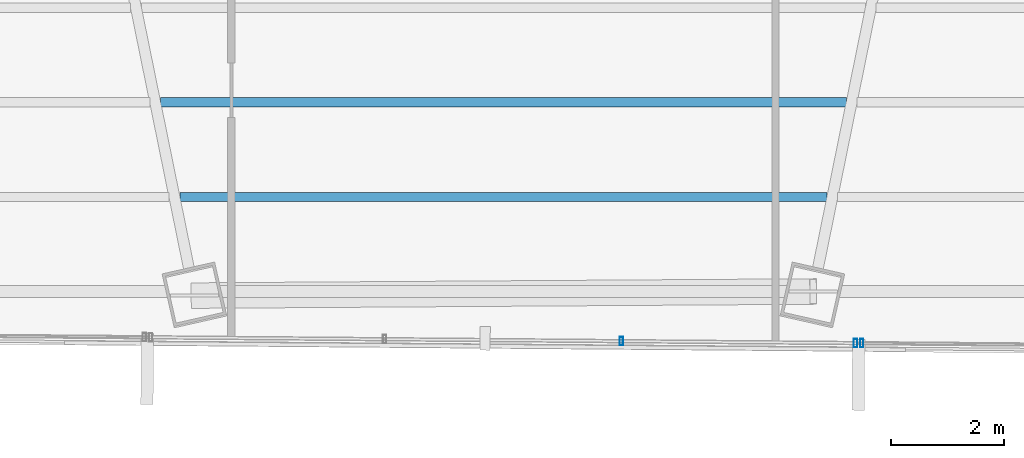
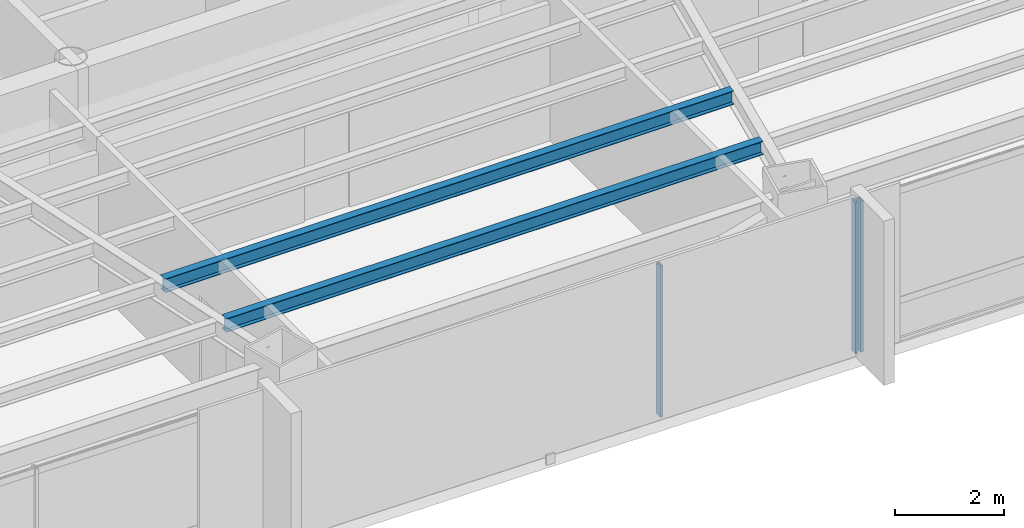
# One storey, part 10 of 38: 3 members, 2 beams, 2 elements without a shape of their own.
"""IFC4 building model written with IfcOpenShell, lengths in metres."""

from ifc_helpers import new_model, si_unit, direction, frame, origin, origin_2d, place, context, subcontext, project, spatial, hollow_rectangle, i_section, extrude, source, transform, mapped, material, material_profile, profile_set, type_object, type_shapes, element, aggregate, save


model = new_model("IFC4")

# Units and contexts
model_context = context("Model", 3, precision=1e-05, world=origin(), true_north=direction((0.0, 1.0)))
body_context = subcontext(model_context, "Body", "Model", "MODEL_VIEW")
ifc_project = project(units=[si_unit("LENGTHUNIT", "METRE"), si_unit("AREAUNIT", "SQUARE_METRE"), si_unit("VOLUMEUNIT", "CUBIC_METRE"), si_unit("PLANEANGLEUNIT", "RADIAN"), si_unit("MASSUNIT", "GRAM", prefix="KILO")], contexts=[model_context])

# Site, building, storey
site_placement = place(None, origin())
site = spatial("IfcSite", under=ifc_project, at=site_placement, CompositionType="ELEMENT")
building_placement = place(site_placement, origin())
building = spatial("IfcBuilding", under=site, at=building_placement, Name="Caelisora Broadcast Tower", CompositionType="ELEMENT")
storey_placement = place(building_placement, frame((0.0, 0.0, 154.85009765625)))
storey = spatial("IfcBuildingStorey", under=building, at=storey_placement, Name="L40", CompositionType="ELEMENT", Elevation=154.85009765625)

# Beams
ifc_material_1 = material(Name="Steel Grade 350 (AS/NZS 3679.1)", Category="steel")
ifc_material_profile_1 = material_profile(ifc_material_1, i_section(OverallWidth=0.166015625, OverallDepth=0.30712890625, WebThickness=0.006591796875, FlangeThickness=0.01171875, at=origin_2d()), Name="Steel Grade 350 (AS/NZS 3679.1)")
ifc_profile_set_1 = profile_set([ifc_material_profile_1], Name="Steel Grade 350 (AS/NZS 3679.1)")
beam_type = type_object("IfcBeamType", Name="SB03", PredefinedType="JOIST", material=ifc_profile_set_1)
shared_shape_1 = source(origin(), body_context, "Body", "SweptSolid", [
    extrude(i_section(OverallWidth=0.166015625, OverallDepth=0.30712890625, WebThickness=0.006591796875, FlangeThickness=0.01171875, at=origin_2d()), origin(), (0.0, 0.0, 1.0), 12.09765625),
])
beam_1_placement = place(storey_placement, frame((31.951171875, 10.728515625, 3.246337890625), z_axis=(1.0, 0.0, 0.0), x_axis=(0.0, 1.0, 0.0)))
element("IfcBeam", 1, at=beam_1_placement, inside=storey, type_object=beam_type, Name="L40 beam SB03", PredefinedType="JOIST", context=body_context, shape_type="MappedRepresentation", body=[
    mapped(shared_shape_1, transform((0.0, 0.0, 0.0), scale=1.0)),
])
shared_shape_2 = source(origin(), body_context, "Body", "SweptSolid", [
    extrude(i_section(OverallWidth=0.166015625, OverallDepth=0.30712890625, WebThickness=0.006591796875, FlangeThickness=0.01171875, at=origin_2d()), origin(), (0.0, 0.0, 1.0), 11.41943359375),
])
type_shapes(beam_type, [shared_shape_1, shared_shape_2])
beam_2_placement = place(storey_placement, frame((32.290283203125, 9.060791015625, 3.246337890625), z_axis=(1.0, 0.0, 0.0), x_axis=(0.0, 1.0, 0.0)))
element("IfcBeam", 2, at=beam_2_placement, inside=storey, type_object=beam_type, Name="L40 beam SB03", PredefinedType="JOIST", context=body_context, shape_type="MappedRepresentation", body=[
    mapped(shared_shape_2, transform((0.0, 0.0, 0.0), scale=1.0)),
])

# Curtain wall, member
ifc_material_2 = material(Name="Unitised Aluminium and Low-E Glass Curtain Wall", Category="glass")
curtain_wall_type_1 = type_object("IfcCurtainWallType", Name="CW-Z3", PredefinedType="NOTDEFINED", material=ifc_material_2)
curtain_wall_1_placement = place(storey_placement, origin())
curtain_wall_1 = element("IfcCurtainWall", 3, at=curtain_wall_1_placement, inside=storey, type_object=curtain_wall_type_1, Name="L40 curtain wall CW-Z3", PredefinedType="NOTDEFINED")
ifc_material_3 = material(Name="Aluminium 6063-T6 Anodised Terracotta Bronze", Category="aluminium")
ifc_material_profile_2 = material_profile(ifc_material_3, hollow_rectangle(XDim=0.06005859375, YDim=0.14990234375, WallThickness=0.00341796875, at=origin_2d()), Name="Aluminium 6063-T6 Anodised Terracotta Bronze")
ifc_profile_set_2 = profile_set([ifc_material_profile_2], Name="Aluminium 6063-T6 Anodised Terracotta Bronze")
member_type = type_object("IfcMemberType", Name="CWM-03", PredefinedType="MULLION", material=ifc_profile_set_2)
shared_shape_3 = source(origin(), body_context, "Body", "SweptSolid", [
    extrude(hollow_rectangle(XDim=0.06005859375, YDim=0.14990234375, WallThickness=0.00341796875, at=origin_2d()), origin(), (0.0, 0.0, 1.0), 3.39990234375),
])
type_shapes(member_type, [shared_shape_3])
member_1_placement = place(storey_placement, frame((44.32177734375, 6.481689453125, 0.0), z_axis=(0.0, 0.0, 1.0), x_axis=(1.0, 0.0, 0.0)))
member_1 = element("IfcMember", 4, at=member_1_placement, type_object=member_type, Name="L40-CW-B05 mullion #3", PredefinedType="MULLION", context=body_context, shape_type="MappedRepresentation", body=[
    mapped(shared_shape_3, transform((0.0, 0.0, 0.0), scale=1.0)),
])
aggregate(curtain_wall_1, [member_1])

# Curtain wall, members
ifc_material_4 = material(Name="Unitised Aluminium Insulated Shadow-Box Spandrel Curtain Wall", Category="aluminium")
curtain_wall_type_2 = type_object("IfcCurtainWallType", Name="CW-SP2", PredefinedType="NOTDEFINED", material=ifc_material_4)
curtain_wall_2_placement = place(storey_placement, origin())
curtain_wall_2 = element("IfcCurtainWall", 5, at=curtain_wall_2_placement, inside=storey, type_object=curtain_wall_type_2, Name="L40 curtain wall CW-SP2", PredefinedType="NOTDEFINED")
member_2_placement = place(storey_placement, frame((44.2119140625, 6.482421875, 0.0), z_axis=(0.0, 0.0, 1.0), x_axis=(1.0, 0.0, 0.0)))
member_2 = element("IfcMember", 6, at=member_2_placement, type_object=member_type, Name="L40-CW-B06 mullion #0", PredefinedType="MULLION", context=body_context, shape_type="MappedRepresentation", body=[
    mapped(shared_shape_3, transform((0.0, 0.0, 0.0), scale=1.0)),
])
member_3_placement = place(storey_placement, frame((40.0830078125, 6.5166015625, 0.0), z_axis=(0.0, 0.0, 1.0), x_axis=(1.0, 0.0, 0.0)))
member_3 = element("IfcMember", 7, at=member_3_placement, type_object=member_type, Name="L40-CW-B06 mullion #1", PredefinedType="MULLION", context=body_context, shape_type="MappedRepresentation", body=[
    mapped(shared_shape_3, transform((0.0, 0.0, 0.0), scale=1.0)),
])
aggregate(curtain_wall_2, [member_2, member_3])

save(model, "model.ifc")
